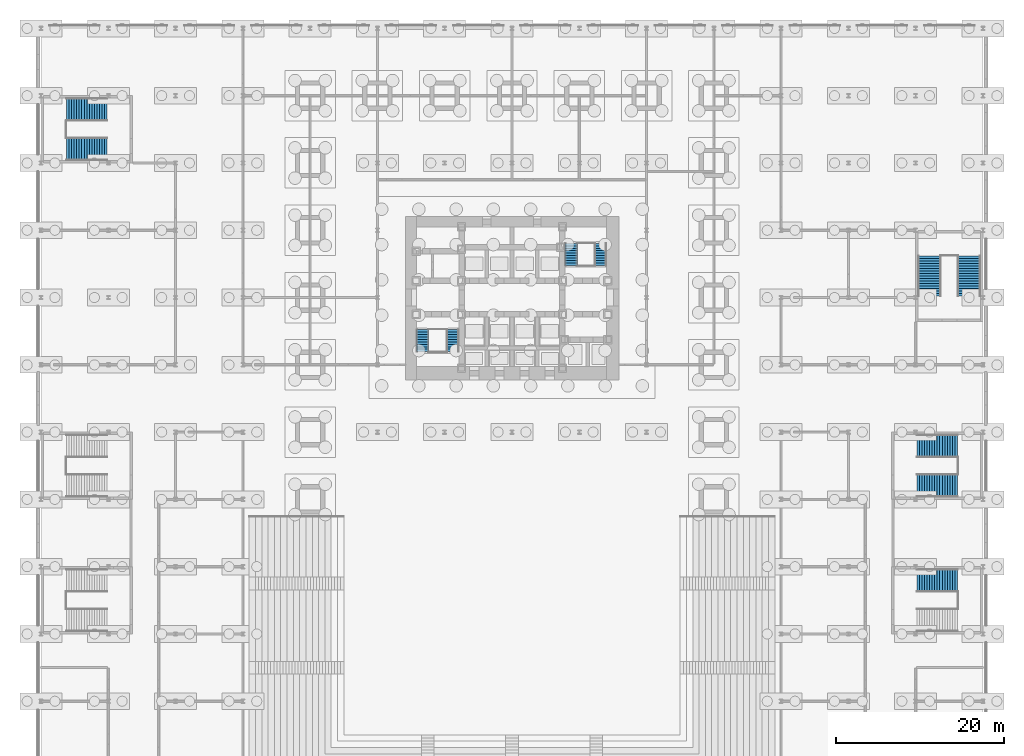
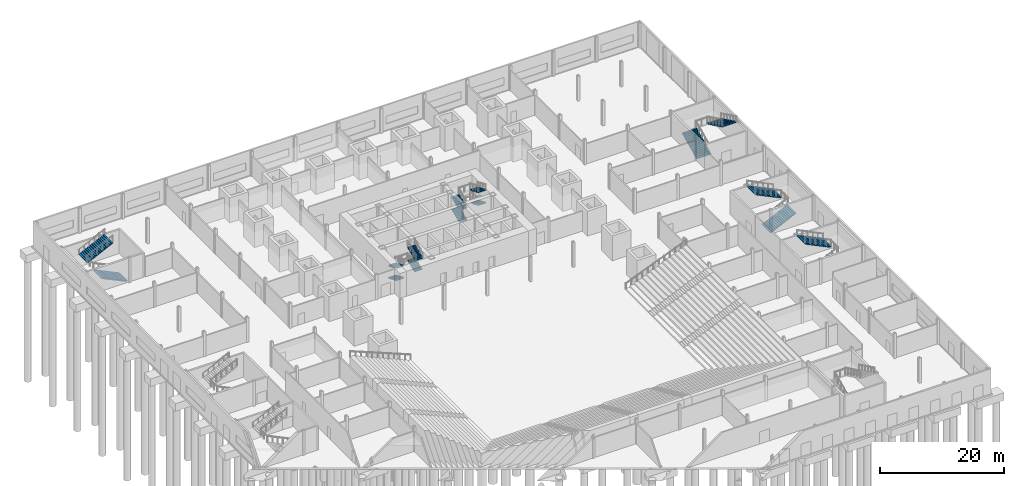
# One storey, part 20 of 24: 15 stair flights, 6 elements without a shape of their own.
"""IFC4 building model written with IfcOpenShell, lengths in metres."""

from ifc_helpers import new_model, si_unit, direction, frame, origin, place, context, subcontext, project, spatial, polyline, outline, extrude, material, type_object, element, aggregate, save


model = new_model("IFC4")

# Units and contexts
model_context = context("Model", 3, precision=1e-05, world=origin(), true_north=direction((0.0, 1.0)))
body_context = subcontext(model_context, "Body", "Model", "MODEL_VIEW")
ifc_project = project(units=[si_unit("LENGTHUNIT", "METRE"), si_unit("AREAUNIT", "SQUARE_METRE"), si_unit("VOLUMEUNIT", "CUBIC_METRE"), si_unit("PLANEANGLEUNIT", "RADIAN"), si_unit("MASSUNIT", "GRAM", prefix="KILO")], contexts=[model_context])

# Site, building, storey
site_placement = place(None, origin())
site = spatial("IfcSite", under=ifc_project, at=site_placement, CompositionType="ELEMENT")
building_placement = place(site_placement, origin())
building = spatial("IfcBuilding", under=site, at=building_placement, Name="Daluyong Arena Tower", CompositionType="ELEMENT")
storey_placement = place(building_placement, origin())
storey = spatial("IfcBuildingStorey", under=building, at=storey_placement, Name="L00", CompositionType="ELEMENT", Elevation=0.0)

# Stair, stair flights
ifc_material_1 = material(Name="Concrete fc' 35 MPa", Category="concrete")
stair_type_1 = type_object("IfcStairType", Name="Core exit stair", PredefinedType="HALF_TURN_STAIR", material=ifc_material_1)
stair_1_placement = place(storey_placement, origin())
stair_1 = element("IfcStair", 1, at=stair_1_placement, inside=storey, type_object=stair_type_1, Name="exit stair A L00", PredefinedType="HALF_TURN_STAIR")
ifc_material_2 = material(Name="Concrete fc' 35 MPa", Category="concrete")
stair_flight_type_1 = type_object("IfcStairFlightType", Name="Core stair flight", PredefinedType="STRAIGHT", material=ifc_material_2)
stair_flight_1_placement = place(storey_placement, frame((45.364990234375, 76.175048828125, 0.0), z_axis=(0.0, 0.0, 1.0), x_axis=(0.0, -1.0, 0.0)))
stair_flight_1 = element("IfcStairFlight", 2, at=stair_flight_1_placement, type_object=stair_flight_type_1, Name="STA flight 1", NumberOfRisers=10, NumberOfTreads=9, PredefinedType="STRAIGHT", RiserHeight=0.125641026, TreadLength=0.29, context=body_context, shape_type="SweptSolid", body=[
    extrude(outline(polyline([(0.0, 0.0), (0.0, 0.125732421875), (0.2900390625, 0.125732421875), (0.2900390625, 0.251220703125), (0.580078125, 0.251220703125), (0.580078125, 0.376953125), (0.8701171875, 0.376953125), (0.8701171875, 0.502685546875), (1.159912109375, 0.502685546875), (1.159912109375, 0.628173828125), (1.449951171875, 0.628173828125), (1.449951171875, 0.75390625), (1.739990234375, 0.75390625), (1.739990234375, 0.87939453125), (2.030029296875, 0.87939453125), (2.030029296875, 1.005126953125), (2.320068359375, 1.005126953125), (2.320068359375, 1.130859375), (2.610107421875, 1.130859375), (2.610107421875, 1.25634765625), (2.610107421875, 0.96728515625), (0.377197265625, 0.0), (0.0, 0.0)])), frame((0.0, 0.72509765625, 0.0), z_axis=(0.0, -1.0, 0.0), x_axis=(1.0, 0.0, 0.0)), (0.0, 0.0, 1.0), 1.449951171875),
])
stair_flight_2_placement = place(storey_placement, frame((48.949951171875, 73.85498046875, 1.25634765625), z_axis=(0.0, 0.0, 1.0), x_axis=(0.0, 1.0, 0.0)))
stair_flight_2 = element("IfcStairFlight", 3, at=stair_flight_2_placement, type_object=stair_flight_type_1, Name="STA flight 2", NumberOfRisers=9, NumberOfTreads=8, PredefinedType="STRAIGHT", RiserHeight=0.125641026, TreadLength=0.29, context=body_context, shape_type="SweptSolid", body=[
    extrude(outline(polyline([(0.0, 0.0), (0.0, 0.125732421875), (0.2900390625, 0.125732421875), (0.2900390625, 0.251220703125), (0.580078125, 0.251220703125), (0.580078125, 0.376953125), (0.8701171875, 0.376953125), (0.8701171875, 0.502685546875), (1.159912109375, 0.502685546875), (1.159912109375, 0.628173828125), (1.449951171875, 0.628173828125), (1.449951171875, 0.75390625), (1.739990234375, 0.75390625), (1.739990234375, 0.87939453125), (2.030029296875, 0.87939453125), (2.030029296875, 1.005126953125), (2.320068359375, 1.005126953125), (2.320068359375, 1.130859375), (2.320068359375, 0.841796875), (0.377197265625, 0.0), (0.0, 0.0)])), frame((0.0, 0.72509765625, 0.0), z_axis=(0.0, -1.0, 0.0), x_axis=(1.0, 0.0, 0.0)), (0.0, 0.0, 1.0), 1.449951171875),
])
stair_flight_3_placement = place(storey_placement, frame((45.364990234375, 76.175048828125, 2.38720703125), z_axis=(0.0, 0.0, 1.0), x_axis=(0.0, -1.0, 0.0)))
stair_flight_3 = element("IfcStairFlight", 4, at=stair_flight_3_placement, type_object=stair_flight_type_1, Name="STA flight 3", NumberOfRisers=10, NumberOfTreads=9, PredefinedType="STRAIGHT", RiserHeight=0.125641026, TreadLength=0.29, context=body_context, shape_type="SweptSolid", body=[
    extrude(outline(polyline([(0.0, 0.0), (0.0, 0.125732421875), (0.2900390625, 0.125732421875), (0.2900390625, 0.251220703125), (0.580078125, 0.251220703125), (0.580078125, 0.376953125), (0.8701171875, 0.376953125), (0.8701171875, 0.502685546875), (1.159912109375, 0.502685546875), (1.159912109375, 0.628173828125), (1.449951171875, 0.628173828125), (1.449951171875, 0.75390625), (1.739990234375, 0.75390625), (1.739990234375, 0.87939453125), (2.030029296875, 0.87939453125), (2.030029296875, 1.005126953125), (2.320068359375, 1.005126953125), (2.320068359375, 1.130859375), (2.610107421875, 1.130859375), (2.610107421875, 1.25634765625), (2.610107421875, 0.96728515625), (0.377197265625, 0.0), (0.0, 0.0)])), frame((0.0, 0.72509765625, 0.0), z_axis=(0.0, -1.0, 0.0), x_axis=(1.0, 0.0, 0.0)), (0.0, 0.0, 1.0), 1.449951171875),
])
stair_flight_4_placement = place(storey_placement, frame((48.949951171875, 73.56494140625, 3.6435546875), z_axis=(0.0, 0.0, 1.0), x_axis=(0.0, 1.0, 0.0)))
stair_flight_4 = element("IfcStairFlight", 5, at=stair_flight_4_placement, type_object=stair_flight_type_1, Name="STA flight 4", NumberOfRisers=10, NumberOfTreads=9, PredefinedType="STRAIGHT", RiserHeight=0.125641026, TreadLength=0.29, context=body_context, shape_type="SweptSolid", body=[
    extrude(outline(polyline([(0.0, 0.0), (0.0, 0.125732421875), (0.2900390625, 0.125732421875), (0.2900390625, 0.251220703125), (0.580078125, 0.251220703125), (0.580078125, 0.376953125), (0.8701171875, 0.376953125), (0.8701171875, 0.502685546875), (1.159912109375, 0.502685546875), (1.159912109375, 0.628173828125), (1.449951171875, 0.628173828125), (1.449951171875, 0.75390625), (1.739990234375, 0.75390625), (1.739990234375, 0.87939453125), (2.030029296875, 0.87939453125), (2.030029296875, 1.005126953125), (2.320068359375, 1.005126953125), (2.320068359375, 1.130859375), (2.610107421875, 1.130859375), (2.610107421875, 1.25634765625), (2.610107421875, 0.96728515625), (0.377197265625, 0.0), (0.0, 0.0)])), frame((0.0, 0.72509765625, 0.0), z_axis=(0.0, -1.0, 0.0), x_axis=(1.0, 0.0, 0.0)), (0.0, 0.0, 1.0), 1.449951171875),
])
aggregate(stair_1, [stair_flight_1, stair_flight_2, stair_flight_3, stair_flight_4])

stair_2_placement = place(storey_placement, origin())
stair_2 = element("IfcStair", 6, at=stair_2_placement, inside=storey, type_object=stair_type_1, Name="exit stair B L00", PredefinedType="HALF_TURN_STAIR")
stair_flight_5_placement = place(storey_placement, frame((63.050048828125, 83.824951171875, 0.0), z_axis=(0.0, 0.0, 1.0), x_axis=(0.0, 1.0, 0.0)))
stair_flight_5 = element("IfcStairFlight", 7, at=stair_flight_5_placement, type_object=stair_flight_type_1, Name="STB flight 1", NumberOfRisers=10, NumberOfTreads=9, PredefinedType="STRAIGHT", RiserHeight=0.125641026, TreadLength=0.29, context=body_context, shape_type="SweptSolid", body=[
    extrude(outline(polyline([(0.0, 0.0), (0.0, 0.125732421875), (0.2900390625, 0.125732421875), (0.2900390625, 0.251220703125), (0.580078125, 0.251220703125), (0.580078125, 0.376953125), (0.8701171875, 0.376953125), (0.8701171875, 0.502685546875), (1.159912109375, 0.502685546875), (1.159912109375, 0.628173828125), (1.449951171875, 0.628173828125), (1.449951171875, 0.75390625), (1.739990234375, 0.75390625), (1.739990234375, 0.87939453125), (2.030029296875, 0.87939453125), (2.030029296875, 1.005126953125), (2.320068359375, 1.005126953125), (2.320068359375, 1.130859375), (2.610107421875, 1.130859375), (2.610107421875, 1.25634765625), (2.610107421875, 0.96728515625), (0.377197265625, 0.0), (0.0, 0.0)])), frame((0.0, 0.72509765625, 0.0), z_axis=(0.0, -1.0, 0.0), x_axis=(1.0, 0.0, 0.0)), (0.0, 0.0, 1.0), 1.449951171875),
])
stair_flight_6_placement = place(storey_placement, frame((66.52490234375, 86.14501953125, 1.25634765625), z_axis=(0.0, 0.0, 1.0), x_axis=(0.0, -1.0, 0.0)))
stair_flight_6 = element("IfcStairFlight", 8, at=stair_flight_6_placement, type_object=stair_flight_type_1, Name="STB flight 2", NumberOfRisers=9, NumberOfTreads=8, PredefinedType="STRAIGHT", RiserHeight=0.125641026, TreadLength=0.29, context=body_context, shape_type="SweptSolid", body=[
    extrude(outline(polyline([(0.0, 0.0), (0.0, 0.125732421875), (0.2900390625, 0.125732421875), (0.2900390625, 0.251220703125), (0.580078125, 0.251220703125), (0.580078125, 0.376953125), (0.8701171875, 0.376953125), (0.8701171875, 0.502685546875), (1.159912109375, 0.502685546875), (1.159912109375, 0.628173828125), (1.449951171875, 0.628173828125), (1.449951171875, 0.75390625), (1.739990234375, 0.75390625), (1.739990234375, 0.87939453125), (2.030029296875, 0.87939453125), (2.030029296875, 1.005126953125), (2.320068359375, 1.005126953125), (2.320068359375, 1.130859375), (2.320068359375, 0.841796875), (0.377197265625, 0.0), (0.0, 0.0)])), frame((0.0, 0.72509765625, 0.0), z_axis=(0.0, -1.0, 0.0), x_axis=(1.0, 0.0, 0.0)), (0.0, 0.0, 1.0), 1.449951171875),
])
stair_flight_7_placement = place(storey_placement, frame((63.050048828125, 83.824951171875, 2.38720703125), z_axis=(0.0, 0.0, 1.0), x_axis=(0.0, 1.0, 0.0)))
stair_flight_7 = element("IfcStairFlight", 9, at=stair_flight_7_placement, type_object=stair_flight_type_1, Name="STB flight 3", NumberOfRisers=10, NumberOfTreads=9, PredefinedType="STRAIGHT", RiserHeight=0.125641026, TreadLength=0.29, context=body_context, shape_type="SweptSolid", body=[
    extrude(outline(polyline([(0.0, 0.0), (0.0, 0.125732421875), (0.2900390625, 0.125732421875), (0.2900390625, 0.251220703125), (0.580078125, 0.251220703125), (0.580078125, 0.376953125), (0.8701171875, 0.376953125), (0.8701171875, 0.502685546875), (1.159912109375, 0.502685546875), (1.159912109375, 0.628173828125), (1.449951171875, 0.628173828125), (1.449951171875, 0.75390625), (1.739990234375, 0.75390625), (1.739990234375, 0.87939453125), (2.030029296875, 0.87939453125), (2.030029296875, 1.005126953125), (2.320068359375, 1.005126953125), (2.320068359375, 1.130859375), (2.610107421875, 1.130859375), (2.610107421875, 1.25634765625), (2.610107421875, 0.96728515625), (0.377197265625, 0.0), (0.0, 0.0)])), frame((0.0, 0.72509765625, 0.0), z_axis=(0.0, -1.0, 0.0), x_axis=(1.0, 0.0, 0.0)), (0.0, 0.0, 1.0), 1.449951171875),
])
stair_flight_8_placement = place(storey_placement, frame((66.52490234375, 86.43505859375, 3.6435546875), z_axis=(0.0, 0.0, 1.0), x_axis=(0.0, -1.0, 0.0)))
stair_flight_8 = element("IfcStairFlight", 10, at=stair_flight_8_placement, type_object=stair_flight_type_1, Name="STB flight 4", NumberOfRisers=10, NumberOfTreads=9, PredefinedType="STRAIGHT", RiserHeight=0.125641026, TreadLength=0.29, context=body_context, shape_type="SweptSolid", body=[
    extrude(outline(polyline([(0.0, 0.0), (0.0, 0.125732421875), (0.2900390625, 0.125732421875), (0.2900390625, 0.251220703125), (0.580078125, 0.251220703125), (0.580078125, 0.376953125), (0.8701171875, 0.376953125), (0.8701171875, 0.502685546875), (1.159912109375, 0.502685546875), (1.159912109375, 0.628173828125), (1.449951171875, 0.628173828125), (1.449951171875, 0.75390625), (1.739990234375, 0.75390625), (1.739990234375, 0.87939453125), (2.030029296875, 0.87939453125), (2.030029296875, 1.005126953125), (2.320068359375, 1.005126953125), (2.320068359375, 1.130859375), (2.610107421875, 1.130859375), (2.610107421875, 1.25634765625), (2.610107421875, 0.96728515625), (0.377197265625, 0.0), (0.0, 0.0)])), frame((0.0, 0.72509765625, 0.0), z_axis=(0.0, -1.0, 0.0), x_axis=(1.0, 0.0, 0.0)), (0.0, 0.0, 1.0), 1.449951171875),
])
aggregate(stair_2, [stair_flight_5, stair_flight_6, stair_flight_7, stair_flight_8])

# Stair, stair flight
ifc_material_3 = material(Name="Concrete fc' 35 MPa", Category="concrete")
stair_type_2 = type_object("IfcStairType", Name="Podium exit stair", PredefinedType="HALF_TURN_STAIR", material=ifc_material_3)
stair_3_placement = place(storey_placement, origin())
stair_3 = element("IfcStair", 11, at=stair_3_placement, inside=storey, type_object=stair_type_2, Name="exit stair PS4 L00", PredefinedType="HALF_TURN_STAIR")
ifc_material_4 = material(Name="Concrete fc' 35 MPa", Category="concrete")
stair_flight_type_2 = type_object("IfcStairFlightType", Name="Podium stair flight", PredefinedType="STRAIGHT", material=ifc_material_4)
stair_flight_9_placement = place(storey_placement, frame((108.9599609375, 46.35009765625, 2.449951171875), z_axis=(0.0, 0.0, 1.0), x_axis=(-1.0, 0.0, 0.0)))
stair_flight_9 = element("IfcStairFlight", 12, at=stair_flight_9_placement, type_object=stair_flight_type_2, Name="PS4 flight 2", NumberOfRisers=17, NumberOfTreads=16, PredefinedType="STRAIGHT", RiserHeight=0.144117647, TreadLength=0.3, context=body_context, shape_type="SweptSolid", body=[
    extrude(outline(polyline([(0.0, 0.0), (0.0, 0.14404296875), (0.300048828125, 0.14404296875), (0.300048828125, 0.288330078125), (0.60009765625, 0.288330078125), (0.60009765625, 0.432373046875), (0.89990234375, 0.432373046875), (0.89990234375, 0.576416015625), (1.199951171875, 0.576416015625), (1.199951171875, 0.720703125), (1.5, 0.720703125), (1.5, 0.86474609375), (1.800048828125, 0.86474609375), (1.800048828125, 1.0087890625), (2.10009765625, 1.0087890625), (2.10009765625, 1.15283203125), (2.39990234375, 1.15283203125), (2.39990234375, 1.297119140625), (2.699951171875, 1.297119140625), (2.699951171875, 1.441162109375), (3.0, 1.441162109375), (3.0, 1.585205078125), (3.300048828125, 1.585205078125), (3.300048828125, 1.7294921875), (3.60009765625, 1.7294921875), (3.60009765625, 1.87353515625), (3.89990234375, 1.87353515625), (3.89990234375, 2.017578125), (4.199951171875, 2.017578125), (4.199951171875, 2.161865234375), (4.5, 2.161865234375), (4.5, 2.305908203125), (4.800048828125, 2.305908203125), (4.800048828125, 2.449951171875), (4.800048828125, 2.1396484375), (0.34619140625, 0.0), (0.0, 0.0)])), frame((0.0, 1.35009765625, 0.0), z_axis=(0.0, -1.0, 0.0), x_axis=(1.0, 0.0, 0.0)), (0.0, 0.0, 1.0), 2.699951171875),
])
aggregate(stair_3, [stair_flight_9])

# Stair, stair flights
stair_4_placement = place(storey_placement, origin())
stair_4 = element("IfcStair", 13, at=stair_4_placement, inside=storey, type_object=stair_type_2, Name="exit stair PS5 L00", PredefinedType="HALF_TURN_STAIR")
stair_flight_10_placement = place(storey_placement, frame((7.840087890625, 97.64990234375, 0.0), z_axis=(0.0, 0.0, 1.0), x_axis=(-1.0, 0.0, 0.0)))
stair_flight_10 = element("IfcStairFlight", 14, at=stair_flight_10_placement, type_object=stair_flight_type_2, Name="PS5 flight 1", NumberOfRisers=17, NumberOfTreads=16, PredefinedType="STRAIGHT", RiserHeight=0.144117647, TreadLength=0.3, context=body_context, shape_type="SweptSolid", body=[
    extrude(outline(polyline([(0.0, 0.0), (0.0, 0.14404296875), (0.300048828125, 0.14404296875), (0.300048828125, 0.288330078125), (0.60009765625, 0.288330078125), (0.60009765625, 0.432373046875), (0.89990234375, 0.432373046875), (0.89990234375, 0.576416015625), (1.199951171875, 0.576416015625), (1.199951171875, 0.720703125), (1.5, 0.720703125), (1.5, 0.86474609375), (1.800048828125, 0.86474609375), (1.800048828125, 1.0087890625), (2.10009765625, 1.0087890625), (2.10009765625, 1.15283203125), (2.39990234375, 1.15283203125), (2.39990234375, 1.297119140625), (2.699951171875, 1.297119140625), (2.699951171875, 1.441162109375), (3.0, 1.441162109375), (3.0, 1.585205078125), (3.300048828125, 1.585205078125), (3.300048828125, 1.7294921875), (3.60009765625, 1.7294921875), (3.60009765625, 1.87353515625), (3.89990234375, 1.87353515625), (3.89990234375, 2.017578125), (4.199951171875, 2.017578125), (4.199951171875, 2.161865234375), (4.5, 2.161865234375), (4.5, 2.305908203125), (4.800048828125, 2.305908203125), (4.800048828125, 2.449951171875), (4.800048828125, 2.1396484375), (0.34619140625, 0.0), (0.0, 0.0)])), frame((0.0, 1.35009765625, 0.0), z_axis=(0.0, -1.0, 0.0), x_axis=(1.0, 0.0, 0.0)), (0.0, 0.0, 1.0), 2.699951171875),
])
stair_flight_11_placement = place(storey_placement, frame((3.0400390625, 102.35009765625, 2.449951171875), z_axis=(0.0, 0.0, 1.0), x_axis=(1.0, 0.0, 0.0)))
stair_flight_11 = element("IfcStairFlight", 15, at=stair_flight_11_placement, type_object=stair_flight_type_2, Name="PS5 flight 2", NumberOfRisers=17, NumberOfTreads=16, PredefinedType="STRAIGHT", RiserHeight=0.144117647, TreadLength=0.3, context=body_context, shape_type="SweptSolid", body=[
    extrude(outline(polyline([(0.0, 0.0), (0.0, 0.14404296875), (0.300048828125, 0.14404296875), (0.300048828125, 0.288330078125), (0.60009765625, 0.288330078125), (0.60009765625, 0.432373046875), (0.89990234375, 0.432373046875), (0.89990234375, 0.576416015625), (1.199951171875, 0.576416015625), (1.199951171875, 0.720703125), (1.5, 0.720703125), (1.5, 0.86474609375), (1.800048828125, 0.86474609375), (1.800048828125, 1.0087890625), (2.10009765625, 1.0087890625), (2.10009765625, 1.15283203125), (2.39990234375, 1.15283203125), (2.39990234375, 1.297119140625), (2.699951171875, 1.297119140625), (2.699951171875, 1.441162109375), (3.0, 1.441162109375), (3.0, 1.585205078125), (3.300048828125, 1.585205078125), (3.300048828125, 1.7294921875), (3.60009765625, 1.7294921875), (3.60009765625, 1.87353515625), (3.89990234375, 1.87353515625), (3.89990234375, 2.017578125), (4.199951171875, 2.017578125), (4.199951171875, 2.161865234375), (4.5, 2.161865234375), (4.5, 2.305908203125), (4.800048828125, 2.305908203125), (4.800048828125, 2.449951171875), (4.800048828125, 2.1396484375), (0.34619140625, 0.0), (0.0, 0.0)])), frame((0.0, 1.35009765625, 0.0), z_axis=(0.0, -1.0, 0.0), x_axis=(1.0, 0.0, 0.0)), (0.0, 0.0, 1.0), 2.699951171875),
])
aggregate(stair_4, [stair_flight_10, stair_flight_11])

stair_5_placement = place(storey_placement, origin())
stair_5 = element("IfcStair", 16, at=stair_5_placement, inside=storey, type_object=stair_type_2, Name="exit stair PS6 L00", PredefinedType="HALF_TURN_STAIR")
stair_flight_12_placement = place(storey_placement, frame((105.64990234375, 80.159912109375, 0.0), z_axis=(0.0, 0.0, 1.0), x_axis=(0.0, 1.0, 0.0)))
stair_flight_12 = element("IfcStairFlight", 17, at=stair_flight_12_placement, type_object=stair_flight_type_2, Name="PS6 flight 1", NumberOfRisers=17, NumberOfTreads=16, PredefinedType="STRAIGHT", RiserHeight=0.144117647, TreadLength=0.3, context=body_context, shape_type="SweptSolid", body=[
    extrude(outline(polyline([(0.0, 0.0), (0.0, 0.14404296875), (0.300048828125, 0.14404296875), (0.300048828125, 0.288330078125), (0.60009765625, 0.288330078125), (0.60009765625, 0.432373046875), (0.89990234375, 0.432373046875), (0.89990234375, 0.576416015625), (1.199951171875, 0.576416015625), (1.199951171875, 0.720703125), (1.5, 0.720703125), (1.5, 0.86474609375), (1.800048828125, 0.86474609375), (1.800048828125, 1.0087890625), (2.10009765625, 1.0087890625), (2.10009765625, 1.15283203125), (2.39990234375, 1.15283203125), (2.39990234375, 1.297119140625), (2.699951171875, 1.297119140625), (2.699951171875, 1.441162109375), (3.0, 1.441162109375), (3.0, 1.585205078125), (3.300048828125, 1.585205078125), (3.300048828125, 1.7294921875), (3.60009765625, 1.7294921875), (3.60009765625, 1.87353515625), (3.89990234375, 1.87353515625), (3.89990234375, 2.017578125), (4.199951171875, 2.017578125), (4.199951171875, 2.161865234375), (4.5, 2.161865234375), (4.5, 2.305908203125), (4.800048828125, 2.305908203125), (4.800048828125, 2.449951171875), (4.800048828125, 2.1396484375), (0.34619140625, 0.0), (0.0, 0.0)])), frame((0.0, 1.35009765625, 0.0), z_axis=(0.0, -1.0, 0.0), x_axis=(1.0, 0.0, 0.0)), (0.0, 0.0, 1.0), 2.699951171875),
])
stair_flight_13_placement = place(storey_placement, frame((110.35009765625, 84.9599609375, 2.449951171875), z_axis=(0.0, 0.0, 1.0), x_axis=(0.0, -1.0, 0.0)))
stair_flight_13 = element("IfcStairFlight", 18, at=stair_flight_13_placement, type_object=stair_flight_type_2, Name="PS6 flight 2", NumberOfRisers=17, NumberOfTreads=16, PredefinedType="STRAIGHT", RiserHeight=0.144117647, TreadLength=0.3, context=body_context, shape_type="SweptSolid", body=[
    extrude(outline(polyline([(0.0, 0.0), (0.0, 0.14404296875), (0.300048828125, 0.14404296875), (0.300048828125, 0.288330078125), (0.60009765625, 0.288330078125), (0.60009765625, 0.432373046875), (0.89990234375, 0.432373046875), (0.89990234375, 0.576416015625), (1.199951171875, 0.576416015625), (1.199951171875, 0.720703125), (1.5, 0.720703125), (1.5, 0.86474609375), (1.800048828125, 0.86474609375), (1.800048828125, 1.0087890625), (2.10009765625, 1.0087890625), (2.10009765625, 1.15283203125), (2.39990234375, 1.15283203125), (2.39990234375, 1.297119140625), (2.699951171875, 1.297119140625), (2.699951171875, 1.441162109375), (3.0, 1.441162109375), (3.0, 1.585205078125), (3.300048828125, 1.585205078125), (3.300048828125, 1.7294921875), (3.60009765625, 1.7294921875), (3.60009765625, 1.87353515625), (3.89990234375, 1.87353515625), (3.89990234375, 2.017578125), (4.199951171875, 2.017578125), (4.199951171875, 2.161865234375), (4.5, 2.161865234375), (4.5, 2.305908203125), (4.800048828125, 2.305908203125), (4.800048828125, 2.449951171875), (4.800048828125, 2.1396484375), (0.34619140625, 0.0), (0.0, 0.0)])), frame((0.0, 1.35009765625, 0.0), z_axis=(0.0, -1.0, 0.0), x_axis=(1.0, 0.0, 0.0)), (0.0, 0.0, 1.0), 2.699951171875),
])
aggregate(stair_5, [stair_flight_12, stair_flight_13])

stair_6_placement = place(storey_placement, origin())
stair_6 = element("IfcStair", 19, at=stair_6_placement, inside=storey, type_object=stair_type_2, Name="exit stair PS8 L00", PredefinedType="HALF_TURN_STAIR")
stair_flight_14_placement = place(storey_placement, frame((104.159912109375, 57.64990234375, 0.0), z_axis=(0.0, 0.0, 1.0), x_axis=(1.0, 0.0, 0.0)))
stair_flight_14 = element("IfcStairFlight", 20, at=stair_flight_14_placement, type_object=stair_flight_type_2, Name="PS8 flight 1", NumberOfRisers=17, NumberOfTreads=16, PredefinedType="STRAIGHT", RiserHeight=0.144117647, TreadLength=0.3, context=body_context, shape_type="SweptSolid", body=[
    extrude(outline(polyline([(0.0, 0.0), (0.0, 0.14404296875), (0.300048828125, 0.14404296875), (0.300048828125, 0.288330078125), (0.60009765625, 0.288330078125), (0.60009765625, 0.432373046875), (0.89990234375, 0.432373046875), (0.89990234375, 0.576416015625), (1.199951171875, 0.576416015625), (1.199951171875, 0.720703125), (1.5, 0.720703125), (1.5, 0.86474609375), (1.800048828125, 0.86474609375), (1.800048828125, 1.0087890625), (2.10009765625, 1.0087890625), (2.10009765625, 1.15283203125), (2.39990234375, 1.15283203125), (2.39990234375, 1.297119140625), (2.699951171875, 1.297119140625), (2.699951171875, 1.441162109375), (3.0, 1.441162109375), (3.0, 1.585205078125), (3.300048828125, 1.585205078125), (3.300048828125, 1.7294921875), (3.60009765625, 1.7294921875), (3.60009765625, 1.87353515625), (3.89990234375, 1.87353515625), (3.89990234375, 2.017578125), (4.199951171875, 2.017578125), (4.199951171875, 2.161865234375), (4.5, 2.161865234375), (4.5, 2.305908203125), (4.800048828125, 2.305908203125), (4.800048828125, 2.449951171875), (4.800048828125, 2.1396484375), (0.34619140625, 0.0), (0.0, 0.0)])), frame((0.0, 1.35009765625, 0.0), z_axis=(0.0, -1.0, 0.0), x_axis=(1.0, 0.0, 0.0)), (0.0, 0.0, 1.0), 2.699951171875),
])
stair_flight_15_placement = place(storey_placement, frame((108.9599609375, 62.35009765625, 2.449951171875), z_axis=(0.0, 0.0, 1.0), x_axis=(-1.0, 0.0, 0.0)))
stair_flight_15 = element("IfcStairFlight", 21, at=stair_flight_15_placement, type_object=stair_flight_type_2, Name="PS8 flight 2", NumberOfRisers=17, NumberOfTreads=16, PredefinedType="STRAIGHT", RiserHeight=0.144117647, TreadLength=0.3, context=body_context, shape_type="SweptSolid", body=[
    extrude(outline(polyline([(0.0, 0.0), (0.0, 0.14404296875), (0.300048828125, 0.14404296875), (0.300048828125, 0.288330078125), (0.60009765625, 0.288330078125), (0.60009765625, 0.432373046875), (0.89990234375, 0.432373046875), (0.89990234375, 0.576416015625), (1.199951171875, 0.576416015625), (1.199951171875, 0.720703125), (1.5, 0.720703125), (1.5, 0.86474609375), (1.800048828125, 0.86474609375), (1.800048828125, 1.0087890625), (2.10009765625, 1.0087890625), (2.10009765625, 1.15283203125), (2.39990234375, 1.15283203125), (2.39990234375, 1.297119140625), (2.699951171875, 1.297119140625), (2.699951171875, 1.441162109375), (3.0, 1.441162109375), (3.0, 1.585205078125), (3.300048828125, 1.585205078125), (3.300048828125, 1.7294921875), (3.60009765625, 1.7294921875), (3.60009765625, 1.87353515625), (3.89990234375, 1.87353515625), (3.89990234375, 2.017578125), (4.199951171875, 2.017578125), (4.199951171875, 2.161865234375), (4.5, 2.161865234375), (4.5, 2.305908203125), (4.800048828125, 2.305908203125), (4.800048828125, 2.449951171875), (4.800048828125, 2.1396484375), (0.34619140625, 0.0), (0.0, 0.0)])), frame((0.0, 1.35009765625, 0.0), z_axis=(0.0, -1.0, 0.0), x_axis=(1.0, 0.0, 0.0)), (0.0, 0.0, 1.0), 2.699951171875),
])
aggregate(stair_6, [stair_flight_14, stair_flight_15])

save(model, "model.ifc")
